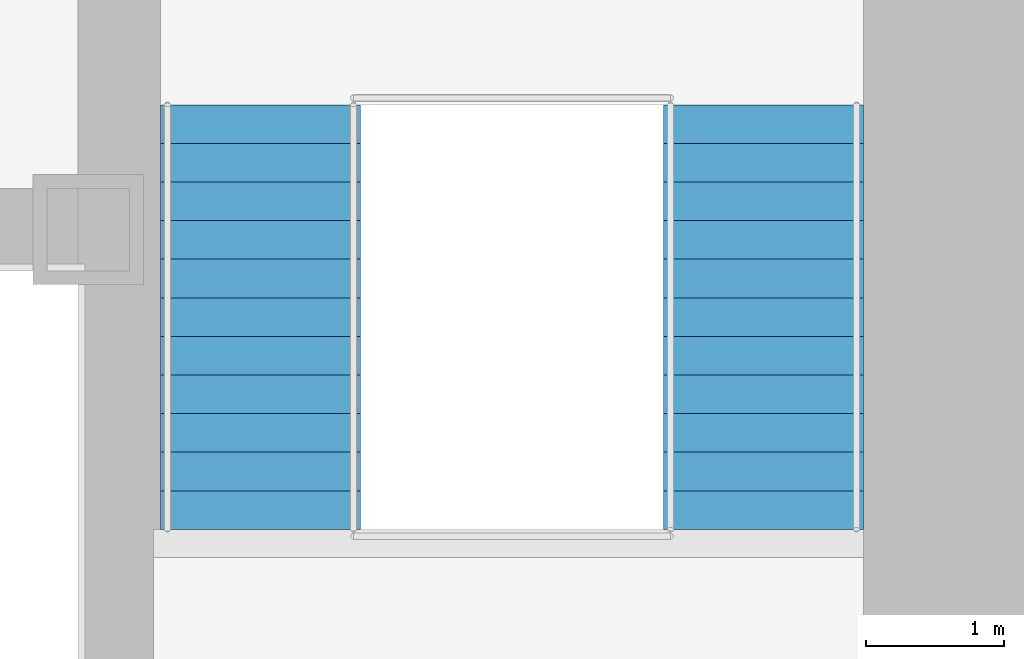
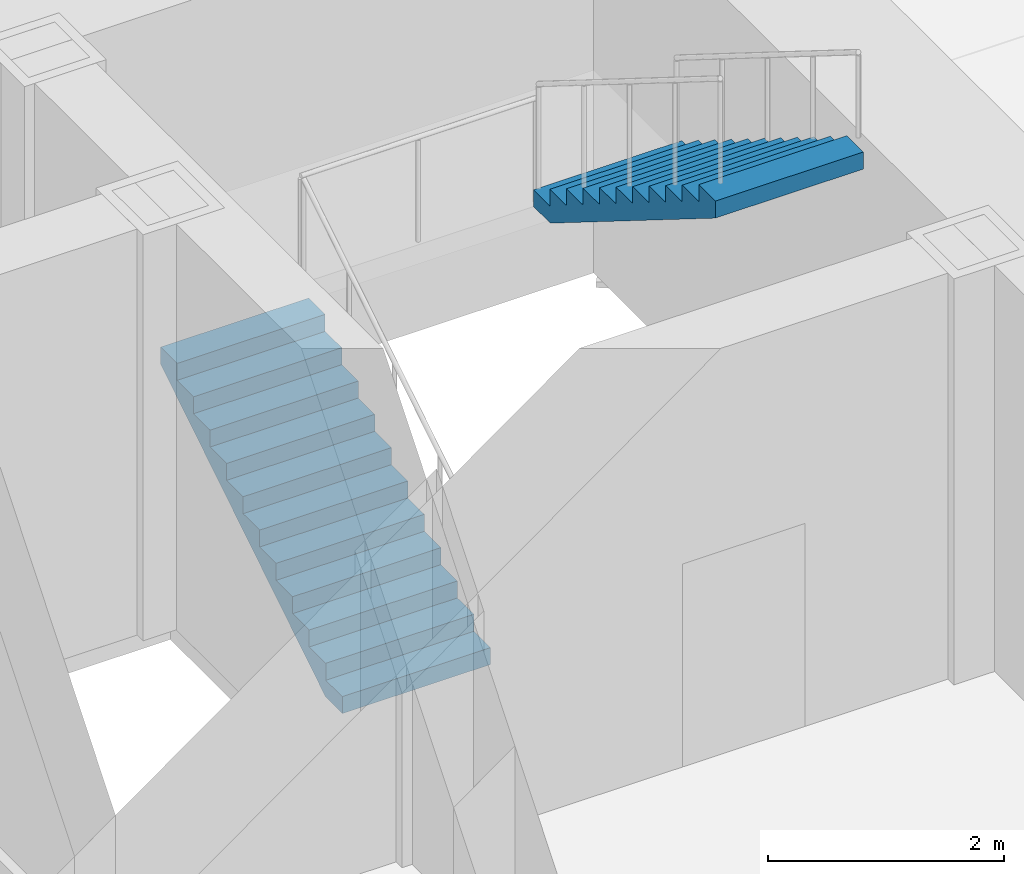
# One storey, part 11 of 17: 2 stair flights, 1 element without a shape of its own.
"""IFC4 building model written with IfcOpenShell, lengths in metres."""

from ifc_helpers import new_model, si_unit, direction, frame, origin, place, context, subcontext, project, spatial, polyline, outline, extrude, material, type_object, element, aggregate, save


model = new_model("IFC4")

# Units and contexts
model_context = context("Model", 3, precision=1e-05, world=origin(), true_north=direction((0.0, 1.0)))
body_context = subcontext(model_context, "Body", "Model", "MODEL_VIEW")
ifc_project = project(units=[si_unit("LENGTHUNIT", "METRE"), si_unit("AREAUNIT", "SQUARE_METRE"), si_unit("VOLUMEUNIT", "CUBIC_METRE"), si_unit("PLANEANGLEUNIT", "RADIAN"), si_unit("MASSUNIT", "GRAM", prefix="KILO")], contexts=[model_context])

# Site, building, storey
site_placement = place(None, origin())
site = spatial("IfcSite", under=ifc_project, at=site_placement, CompositionType="ELEMENT")
building_placement = place(site_placement, origin())
building = spatial("IfcBuilding", under=site, at=building_placement, Name="Daluyong Arena Tower", CompositionType="ELEMENT")
storey_placement = place(building_placement, frame((0.0, 0.0, 97.89990234375)))
storey = spatial("IfcBuildingStorey", under=building, at=storey_placement, Name="L21", CompositionType="ELEMENT", Elevation=97.89990234375)

# Stair, stair flights
ifc_material_1 = material(Name="Concrete fc' 35 MPa", Category="concrete")
stair_type = type_object("IfcStairType", Name="Core exit stair", PredefinedType="HALF_TURN_STAIR", material=ifc_material_1)
stair_placement = place(storey_placement, origin())
stair = element("IfcStair", 1, at=stair_placement, inside=storey, type_object=stair_type, Name="exit stair B L21", PredefinedType="HALF_TURN_STAIR")
ifc_material_2 = material(Name="Concrete fc' 35 MPa", Category="concrete")
stair_flight_type = type_object("IfcStairFlightType", Name="Core stair flight", PredefinedType="STRAIGHT", material=ifc_material_2)
stair_flight_1_placement = place(storey_placement, frame((63.02490234375, 83.824951171875, 0.0), z_axis=(0.0, 0.0, 1.0), x_axis=(0.0, 1.0, 0.0)))
stair_flight_1 = element("IfcStairFlight", 2, at=stair_flight_1_placement, type_object=stair_flight_type, Name="STB flight 1", NumberOfRisers=12, NumberOfTreads=11, PredefinedType="STRAIGHT", RiserHeight=0.175, TreadLength=0.28, context=body_context, shape_type="SweptSolid", body=[
    extrude(outline(polyline([(0.0, 0.0), (0.0, 0.175048828125), (0.280029296875, 0.175048828125), (0.280029296875, 0.35009765625), (0.56005859375, 0.35009765625), (0.56005859375, 0.52490234375), (0.840087890625, 0.52490234375), (0.840087890625, 0.699951171875), (1.1201171875, 0.699951171875), (1.1201171875, 0.875), (1.39990234375, 0.875), (1.39990234375, 1.050048828125), (1.679931640625, 1.050048828125), (1.679931640625, 1.22509765625), (1.9599609375, 1.22509765625), (1.9599609375, 1.39990234375), (2.239990234375, 1.39990234375), (2.239990234375, 1.574951171875), (2.52001953125, 1.574951171875), (2.52001953125, 1.75), (2.800048828125, 1.75), (2.800048828125, 1.925048828125), (3.080078125, 1.925048828125), (3.080078125, 2.10009765625), (3.080078125, 1.748291015625), (0.28271484375, 0.0), (0.0, 0.0)])), frame((0.0, 0.72509765625, 0.0), z_axis=(0.0, -1.0, 0.0), x_axis=(1.0, 0.0, 0.0)), (0.0, 0.0, 1.0), 1.449951171875),
])
stair_flight_2_placement = place(storey_placement, frame((66.675048828125, 86.905029296875, 2.10009765625), z_axis=(0.0, 0.0, 1.0), x_axis=(0.0, -1.0, 0.0)))
stair_flight_2 = element("IfcStairFlight", 3, at=stair_flight_2_placement, type_object=stair_flight_type, Name="STB flight 2", NumberOfRisers=12, NumberOfTreads=11, PredefinedType="STRAIGHT", RiserHeight=0.175, TreadLength=0.28, context=body_context, shape_type="SweptSolid", body=[
    extrude(outline(polyline([(0.0, 0.0), (0.0, 0.175048828125), (0.280029296875, 0.175048828125), (0.280029296875, 0.35009765625), (0.56005859375, 0.35009765625), (0.56005859375, 0.52490234375), (0.840087890625, 0.52490234375), (0.840087890625, 0.699951171875), (1.1201171875, 0.699951171875), (1.1201171875, 0.875), (1.39990234375, 0.875), (1.39990234375, 1.050048828125), (1.679931640625, 1.050048828125), (1.679931640625, 1.22509765625), (1.9599609375, 1.22509765625), (1.9599609375, 1.39990234375), (2.239990234375, 1.39990234375), (2.239990234375, 1.574951171875), (2.52001953125, 1.574951171875), (2.52001953125, 1.75), (2.800048828125, 1.75), (2.800048828125, 1.925048828125), (3.080078125, 1.925048828125), (3.080078125, 2.10009765625), (3.080078125, 1.748291015625), (0.28271484375, 0.0), (0.0, 0.0)])), frame((0.0, 0.72509765625, 0.0), z_axis=(0.0, -1.0, 0.0), x_axis=(1.0, 0.0, 0.0)), (0.0, 0.0, 1.0), 1.449951171875),
])
aggregate(stair, [stair_flight_1, stair_flight_2])

save(model, "model.ifc")
